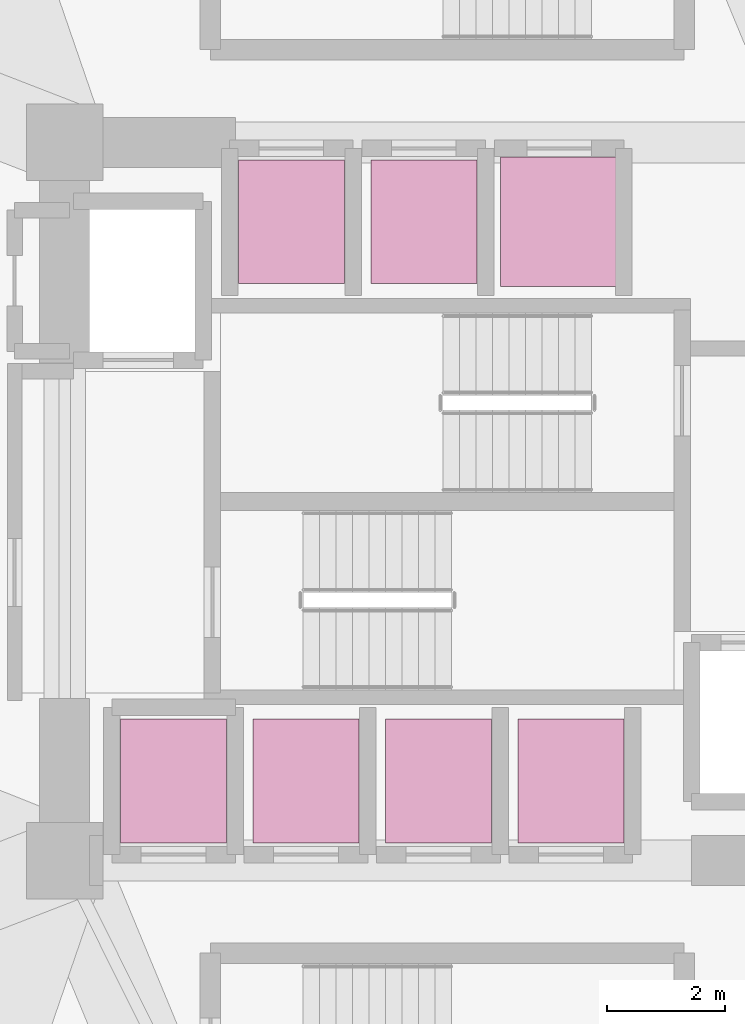
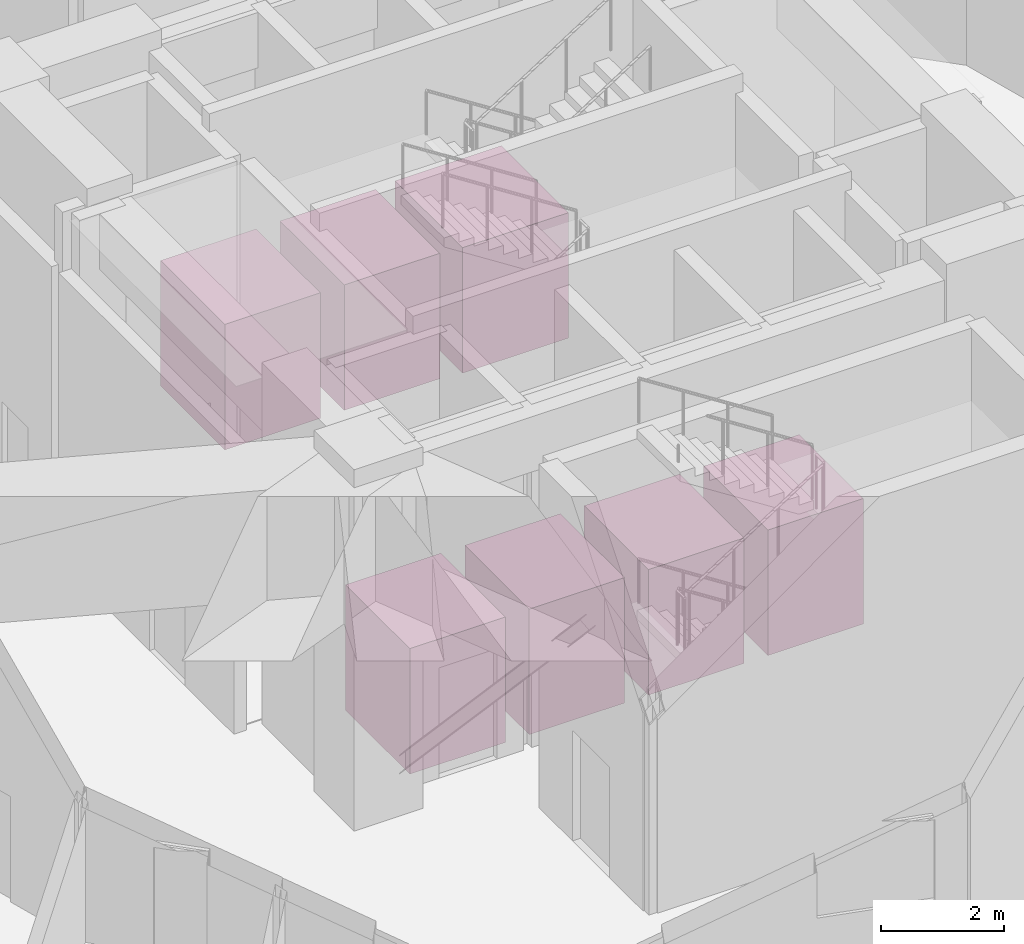
# One storey, part 16 of 16: 7 transport elements.
"""IFC4 building model written with IfcOpenShell, lengths in metres."""

from ifc_helpers import new_model, si_unit, direction, frame, origin, origin_2d, place, context, subcontext, project, spatial, rectangle, extrude, material, type_object, element, save


model = new_model("IFC4")

# Units and contexts
model_context = context("Model", 3, precision=1e-05, world=origin(), true_north=direction((0.0, 1.0)))
body_context = subcontext(model_context, "Body", "Model", "MODEL_VIEW")
ifc_project = project(units=[si_unit("LENGTHUNIT", "METRE"), si_unit("AREAUNIT", "SQUARE_METRE"), si_unit("VOLUMEUNIT", "CUBIC_METRE"), si_unit("PLANEANGLEUNIT", "RADIAN"), si_unit("MASSUNIT", "GRAM", prefix="KILO")], contexts=[model_context])

# Site, building, storey
site_placement = place(None, origin())
site = spatial("IfcSite", under=ifc_project, at=site_placement, CompositionType="ELEMENT")
building_placement = place(site_placement, origin())
building = spatial("IfcBuilding", under=site, at=building_placement, Name="Solvirekh Grand Hotel", CompositionType="ELEMENT")
storey_placement = place(building_placement, origin())
storey = spatial("IfcBuildingStorey", under=building, at=storey_placement, Name="L00", CompositionType="ELEMENT", Elevation=0.0)

# Transport elements
ifc_material = material(Name="Steel S355", Category="steel")
transport_element_type_1 = type_object("IfcTransportElementType", Name="Lift_Express_2000X2200", PredefinedType="ELEVATOR", material=ifc_material)
transport_element_placement = place(storey_placement, frame((1.89990234375, 4.75, 0.0), z_axis=(0.0, 0.0, 1.0), x_axis=(1.0, 0.0, 0.0)))
element("IfcTransportElement", 1, at=transport_element_placement, inside=storey, type_object=transport_element_type_1, Name="Passenger elevator EX-1", PredefinedType="ELEVATOR", context=body_context, shape_type="SweptSolid", body=[
    extrude(rectangle(XDim=2.0, YDim=2.199951171875, at=origin_2d()), origin(), (0.0, 0.0, 1.0), 2.5),
])
transport_element_type_2 = type_object("IfcTransportElementType", Name="Lift_Pass_1800X2100", PredefinedType="ELEVATOR", material=ifc_material)
for number, where, z_axis, x_axis, name in (
    (2, (-4.64990234375, -4.75, 0.0), (0.0, 0.0, 1.0), (1.0, 0.0, 0.0), "Passenger elevator LP-1"),
    (3, (-2.39990234375, -4.75, 0.0), (0.0, 0.0, 1.0), (1.0, 0.0, 0.0), "Passenger elevator LP-2"),
    (4, (-0.14990234375, -4.75, 0.0), (0.0, 0.0, 1.0), (1.0, 0.0, 0.0), "Passenger elevator MP-1"),
    (5, (2.10009765625, -4.75, 0.0), (0.0, 0.0, 1.0), (1.0, 0.0, 0.0), "Passenger elevator MP-2"),
    (6, (-2.64990234375, 4.75, 0.0), (0.0, 0.0, 1.0), (1.0, 0.0, 0.0), "Passenger elevator HP-1"),
    (7, (-0.39990234375, 4.75, 0.0), (0.0, 0.0, 1.0), (1.0, 0.0, 0.0), "Passenger elevator HP-2"),
):
    element("IfcTransportElement", number, at=place(storey_placement, frame(where, z_axis=z_axis, x_axis=x_axis)), inside=storey, type_object=transport_element_type_2, Name=name, PredefinedType="ELEVATOR", context=body_context, shape_type="SweptSolid", body=[
        extrude(rectangle(XDim=1.800048828125, YDim=2.10009765625, at=origin_2d()), origin(), (0.0, 0.0, 1.0), 2.5),
    ])

save(model, "model.ifc")
